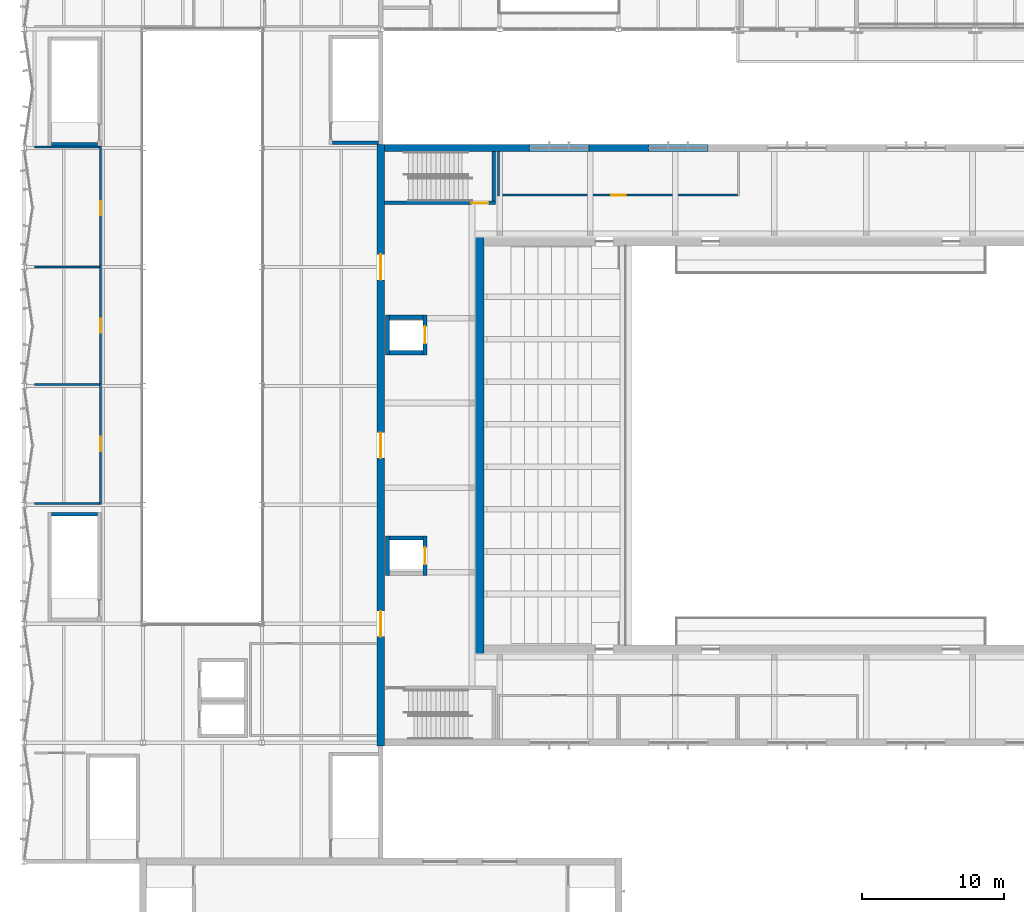
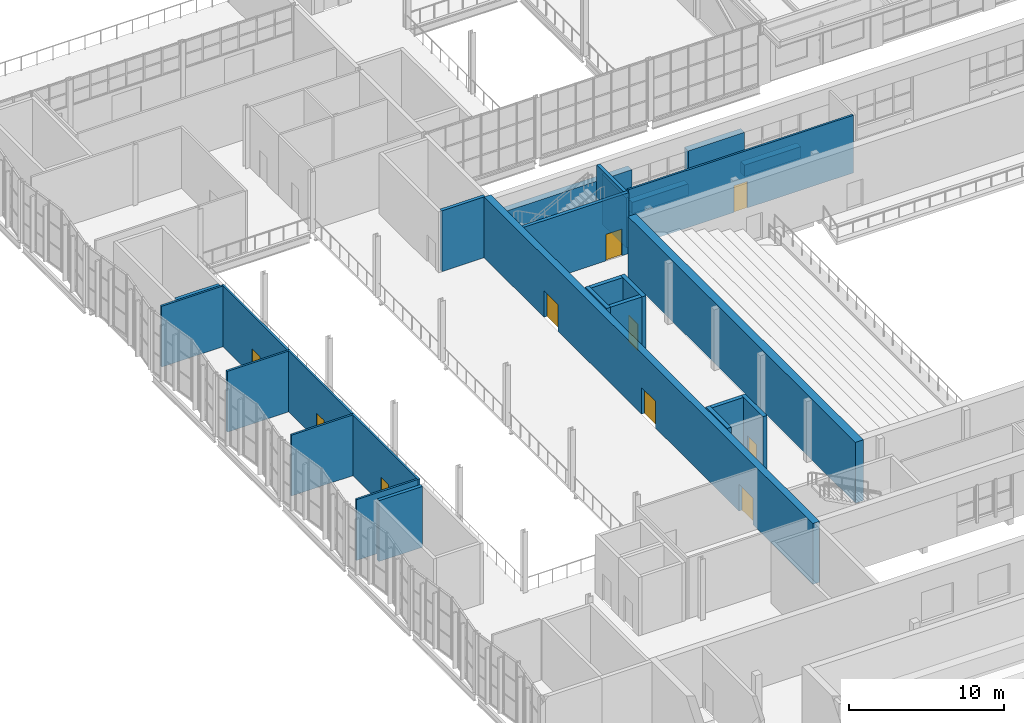
# One storey, part 75 of 116: 27 walls, 10 doors, 10 openings.
"""IFC4 building model written with IfcOpenShell, lengths in metres."""

from ifc_helpers import new_model, si_unit, direction, frame, frame_2d, origin, place, context, subcontext, project, spatial, rectangle, extrude, material, layer, layer_set, type_object, element, fill, save


model = new_model("IFC4")

# Units and contexts
model_context = context("Model", 3, precision=1e-05, world=origin(), true_north=direction((0.0, 1.0)))
body_context = subcontext(model_context, "Body", "Model", "MODEL_VIEW")
ifc_project = project(units=[si_unit("LENGTHUNIT", "METRE"), si_unit("AREAUNIT", "SQUARE_METRE"), si_unit("VOLUMEUNIT", "CUBIC_METRE"), si_unit("PLANEANGLEUNIT", "RADIAN"), si_unit("MASSUNIT", "GRAM", prefix="KILO")], contexts=[model_context])

# Site, building, storey
site_placement = place(None, origin())
site = spatial("IfcSite", under=ifc_project, at=site_placement, CompositionType="ELEMENT")
building_placement = place(site_placement, origin())
building = spatial("IfcBuilding", under=site, at=building_placement, Name="Ljudholm Concert House", CompositionType="ELEMENT")
storey_placement = place(building_placement, frame((0.0, 0.0, 10.199951171875)))
storey = spatial("IfcBuildingStorey", under=building, at=storey_placement, Name="L02", CompositionType="ELEMENT", Elevation=10.199951171875)

# Wall, opening, door
ifc_material_1 = material(Name="Gypsum board on steel studs", Category="steel")
ifc_layer_1 = layer(ifc_material_1, 0.14990234375)
ifc_layer_set_1 = layer_set([ifc_layer_1], Name="Gypsum board on steel studs")
wall_type_1 = type_object("IfcWallType", Name="GYPSUM PARTITION 150", PredefinedType="PARTITIONING", material=ifc_layer_set_1)
wall_1_placement = place(storey_placement, frame((37.60009765625, 93.074951171875, 0.0), z_axis=(0.0, 0.0, 1.0), x_axis=(1.0, 0.0, 0.0)))
wall_1 = element("IfcWall", 1, at=wall_1_placement, inside=storey, type_object=wall_type_1, Name="Hall Bar partition", PredefinedType="PARTITIONING", context=body_context, shape_type="SweptSolid", body=[
    extrude(rectangle(XDim=16.7998046875, YDim=0.14990234375, at=frame_2d((8.39990234375, 0.0))), origin(), (0.0, 0.0, 1.0), 4.550048828125),
])
opening_1_placement = place(wall_1_placement, frame((7.89990234375, 0.0, 0.0)))
opening_1 = element("IfcOpeningElement", 2, at=opening_1_placement, cuts=wall_1, Name="Opening D-H02-006", PredefinedType="OPENING", context=body_context, shape_type="SweptSolid", body=[
    extrude(rectangle(XDim=1.0, YDim=2.10009765625, at=frame_2d((0.5, 1.050048828125))), frame((0.0, 0.0849609375, 0.0), z_axis=(0.0, -1.0, 0.0), x_axis=(1.0, 0.0, 0.0)), (0.0, 0.0, 1.0), 0.169921875),
])
ifc_material_2 = material(Name="Hollow metal door in steel frame", Category="steel")
door_type_1 = type_object("IfcDoorType", Name="SWING DOOR 1000x2100", OperationType="SINGLE_SWING_LEFT", PredefinedType="DOOR", material=ifc_material_2)
door_1_placement = place(opening_1_placement, origin())
door_1 = element("IfcDoor", 3, at=door_1_placement, inside=storey, type_object=door_type_1, Name="Hall Bar door", OperationType="SINGLE_SWING_RIGHT", OverallHeight=2.10009765625, OverallWidth=1.0, PredefinedType="DOOR", context=body_context, shape_type="SweptSolid", body=[
    extrude(rectangle(XDim=1.0, YDim=2.10009765625, at=frame_2d((0.5, 1.050048828125))), frame((0.0, 0.02490234375, 0.0), z_axis=(0.0, -1.0, 0.0), x_axis=(1.0, 0.0, 0.0)), (0.0, 0.0, 1.0), 0.050048828125),
])
fill(opening_1, door_1)

# Wall
wall_2_placement = place(storey_placement, frame((37.52490234375, 93.0, 0.0), z_axis=(0.0, 0.0, 1.0), x_axis=(0.0, 1.0, 0.0)))
element("IfcWall", 4, at=wall_2_placement, inside=storey, type_object=wall_type_1, Name="Hall Bar partition", PredefinedType="PARTITIONING", context=body_context, shape_type="SweptSolid", body=[
    extrude(rectangle(XDim=3.14990234375, YDim=0.14990234375, at=frame_2d((1.574951171875, 0.0))), origin(), (0.0, 0.0, 1.0), 3.949951171875),
])

# Wall, opening, door
wall_3_placement = place(storey_placement, frame((9.39990234375, 71.22509765625, 0.0), z_axis=(0.0, 0.0, 1.0), x_axis=(0.0, 1.0, 0.0)))
wall_3 = element("IfcWall", 5, at=wall_3_placement, inside=storey, type_object=wall_type_1, Name="Room wall", PredefinedType="PARTITIONING", context=body_context, shape_type="SweptSolid", body=[
    extrude(rectangle(XDim=8.5498046875, YDim=0.14990234375, at=frame_2d((4.27490234375, 0.0))), origin(), (0.0, 0.0, 1.0), 4.800048828125),
])
opening_2_placement = place(wall_3_placement, frame((3.77490234375, 0.0, 0.0)))
opening_2 = element("IfcOpeningElement", 6, at=opening_2_placement, cuts=wall_3, Name="Opening D-S02-015", PredefinedType="OPENING", context=body_context, shape_type="SweptSolid", body=[
    extrude(rectangle(XDim=1.0, YDim=2.10009765625, at=frame_2d((0.5, 1.050048828125))), frame((0.0, 0.0849609375, 0.0), z_axis=(0.0, -1.0, 0.0), x_axis=(1.0, 0.0, 0.0)), (0.0, 0.0, 1.0), 0.169921875),
])
door_2_placement = place(opening_2_placement, origin())
door_2 = element("IfcDoor", 7, at=door_2_placement, inside=storey, type_object=door_type_1, Name="Education Room door", OperationType="SINGLE_SWING_LEFT", OverallHeight=2.10009765625, OverallWidth=1.0, PredefinedType="DOOR", context=body_context, shape_type="SweptSolid", body=[
    extrude(rectangle(XDim=1.0, YDim=2.10009765625, at=frame_2d((0.5, 1.050048828125))), frame((0.0, 0.02490234375, 0.0), z_axis=(0.0, -1.0, 0.0), x_axis=(1.0, 0.0, 0.0)), (0.0, 0.0, 1.0), 0.050048828125),
])
fill(opening_2, door_2)

# Walls
for number, where, z_axis, x_axis, name in (
    (8, (4.75, 71.300048828125, 0.0), (0.0, 0.0, 1.0), (1.0, 0.0, 0.0), "Room wall"),
    (9, (4.75, 79.699951171875, 0.0), (0.0, 0.0, 1.0), (1.0, 0.0, 0.0), "Room wall"),
):
    element("IfcWall", number, at=place(storey_placement, frame(where, z_axis=z_axis, x_axis=x_axis)), inside=storey, type_object=wall_type_1, Name=name, PredefinedType="PARTITIONING", context=body_context, shape_type="SweptSolid", body=[
        extrude(rectangle(XDim=4.574951171875, YDim=0.14990234375, at=frame_2d((2.28759765625, 0.0))), origin(), (0.0, 0.0, 1.0), 4.800048828125),
    ])

# Wall, opening, door
wall_4_placement = place(storey_placement, frame((9.39990234375, 79.625, 0.0), z_axis=(0.0, 0.0, 1.0), x_axis=(0.0, 1.0, 0.0)))
wall_4 = element("IfcWall", 10, at=wall_4_placement, inside=storey, type_object=wall_type_1, Name="Room wall", PredefinedType="PARTITIONING", context=body_context, shape_type="SweptSolid", body=[
    extrude(rectangle(XDim=8.449951171875, YDim=0.14990234375, at=frame_2d((4.22509765625, 0.0))), origin(), (0.0, 0.0, 1.0), 4.800048828125),
])
opening_3_placement = place(wall_4_placement, frame((3.72509765625, 0.0, 0.0)))
opening_3 = element("IfcOpeningElement", 11, at=opening_3_placement, cuts=wall_4, Name="Opening D-S02-016", PredefinedType="OPENING", context=body_context, shape_type="SweptSolid", body=[
    extrude(rectangle(XDim=1.0, YDim=2.10009765625, at=frame_2d((0.5, 1.050048828125))), frame((0.0, 0.0849609375, 0.0), z_axis=(0.0, -1.0, 0.0), x_axis=(1.0, 0.0, 0.0)), (0.0, 0.0, 1.0), 0.169921875),
])
door_3_placement = place(opening_3_placement, origin())
door_3 = element("IfcDoor", 12, at=door_3_placement, inside=storey, type_object=door_type_1, Name="Education Room door", OperationType="SINGLE_SWING_LEFT", OverallHeight=2.10009765625, OverallWidth=1.0, PredefinedType="DOOR", context=body_context, shape_type="SweptSolid", body=[
    extrude(rectangle(XDim=1.0, YDim=2.10009765625, at=frame_2d((0.5, 1.050048828125))), frame((0.0, 0.02490234375, 0.0), z_axis=(0.0, -1.0, 0.0), x_axis=(1.0, 0.0, 0.0)), (0.0, 0.0, 1.0), 0.050048828125),
])
fill(opening_3, door_3)

# Wall
wall_5_placement = place(storey_placement, frame((4.75, 88.0, 0.0), z_axis=(0.0, 0.0, 1.0), x_axis=(1.0, 0.0, 0.0)))
element("IfcWall", 13, at=wall_5_placement, inside=storey, type_object=wall_type_1, Name="Room wall", PredefinedType="PARTITIONING", context=body_context, shape_type="SweptSolid", body=[
    extrude(rectangle(XDim=4.574951171875, YDim=0.14990234375, at=frame_2d((2.28759765625, 0.0))), origin(), (0.0, 0.0, 1.0), 4.800048828125),
])

# Wall, opening, door
wall_6_placement = place(storey_placement, frame((9.39990234375, 87.925048828125, 0.0), z_axis=(0.0, 0.0, 1.0), x_axis=(0.0, 1.0, 0.0)))
wall_6 = element("IfcWall", 14, at=wall_6_placement, inside=storey, type_object=wall_type_1, Name="Room wall", PredefinedType="PARTITIONING", context=body_context, shape_type="SweptSolid", body=[
    extrude(rectangle(XDim=8.625, YDim=0.14990234375, at=frame_2d((4.3125, 0.0))), origin(), (0.0, 0.0, 1.0), 4.800048828125),
])
opening_4_placement = place(wall_6_placement, frame((3.72509765625, 0.0, 0.0)))
opening_4 = element("IfcOpeningElement", 15, at=opening_4_placement, cuts=wall_6, Name="Opening D-S02-017", PredefinedType="OPENING", context=body_context, shape_type="SweptSolid", body=[
    extrude(rectangle(XDim=1.0, YDim=2.10009765625, at=frame_2d((0.5, 1.050048828125))), frame((0.0, 0.0849609375, 0.0), z_axis=(0.0, -1.0, 0.0), x_axis=(1.0, 0.0, 0.0)), (0.0, 0.0, 1.0), 0.169921875),
])
door_4_placement = place(opening_4_placement, origin())
door_4 = element("IfcDoor", 16, at=door_4_placement, inside=storey, type_object=door_type_1, Name="Education Room door", OperationType="SINGLE_SWING_LEFT", OverallHeight=2.10009765625, OverallWidth=1.0, PredefinedType="DOOR", context=body_context, shape_type="SweptSolid", body=[
    extrude(rectangle(XDim=1.0, YDim=2.10009765625, at=frame_2d((0.5, 1.050048828125))), frame((0.0, 0.02490234375, 0.0), z_axis=(0.0, -1.0, 0.0), x_axis=(1.0, 0.0, 0.0)), (0.0, 0.0, 1.0), 0.050048828125),
])
fill(opening_4, door_4)

# Walls
wall_7_placement = place(storey_placement, frame((4.75, 96.47509765625, 0.0), z_axis=(0.0, 0.0, 1.0), x_axis=(1.0, 0.0, 0.0)))
element("IfcWall", 17, at=wall_7_placement, inside=storey, type_object=wall_type_1, Name="Room wall", PredefinedType="PARTITIONING", context=body_context, shape_type="SweptSolid", body=[
    extrude(rectangle(XDim=4.574951171875, YDim=0.14990234375, at=frame_2d((2.28759765625, 0.0))), origin(), (0.0, 0.0, 1.0), 4.800048828125),
])
ifc_material_3 = material(Name="Concrete 6,500 psi", Category="concrete")
ifc_layer_2 = layer(ifc_material_3, 0.25)
ifc_layer_set_2 = layer_set([ifc_layer_2], Name="Concrete 6,500 psi")
wall_type_2 = type_object("IfcWallType", Name="RC CORE WALL 250", PredefinedType="SHEAR", material=ifc_layer_set_2)
for number, where, z_axis, x_axis, name in (
    (18, (25.800048828125, 96.77490234375, 0.0), (0.0, 0.0, 1.0), (1.0, 0.0, 0.0), "Stair enclosure wall"),
    (19, (5.949951171875, 70.52490234375, 0.0), (0.0, 0.0, 1.0), (1.0, 0.0, 0.0), "Stair enclosure wall"),
    (20, (5.949951171875, 96.675048828125, 0.0), (0.0, 0.0, 1.0), (1.0, 0.0, 0.0), "Stair enclosure wall"),
):
    element("IfcWall", number, at=place(storey_placement, frame(where, z_axis=z_axis, x_axis=x_axis)), inside=storey, type_object=wall_type_2, Name=name, PredefinedType="SHEAR", context=body_context, shape_type="SweptSolid", body=[
        extrude(rectangle(XDim=3.25, YDim=0.25, at=frame_2d((1.625, 0.0))), origin(), (0.0, 0.0, 1.0), 4.800048828125),
    ])

# Wall, opening, door
ifc_material_4 = material(Name="Concrete 6,500 psi", Category="concrete")
ifc_layer_3 = layer(ifc_material_4, 0.25)
ifc_layer_set_3 = layer_set([ifc_layer_3], Name="Concrete 6,500 psi")
wall_type_3 = type_object("IfcWallType", Name="RC WALL 250", PredefinedType="SOLIDWALL", material=ifc_layer_set_3)
wall_8_placement = place(storey_placement, frame((29.449951171875, 92.52490234375, 0.0), z_axis=(0.0, 0.0, 1.0), x_axis=(1.0, 0.0, 0.0)))
wall_8 = element("IfcWall", 21, at=wall_8_placement, inside=storey, type_object=wall_type_3, Name="Stair enclosure wall EH2", PredefinedType="SOLIDWALL", context=body_context, shape_type="SweptSolid", body=[
    extrude(rectangle(XDim=7.85009765625, YDim=0.25, at=frame_2d((3.925048828125, 0.0))), origin(), (0.0, 0.0, 1.0), 4.800048828125),
])
opening_5_placement = place(wall_8_placement, frame((6.14990234375, 0.0, 0.0)))
opening_5 = element("IfcOpeningElement", 22, at=opening_5_placement, cuts=wall_8, Name="Opening D-H02-008", PredefinedType="OPENING", context=body_context, shape_type="SweptSolid", body=[
    extrude(rectangle(XDim=1.199951171875, YDim=2.10009765625, at=frame_2d((0.60009765625, 1.050048828125))), frame((0.0, 0.135009765625, 0.0), z_axis=(0.0, -1.0, 0.0), x_axis=(1.0, 0.0, 0.0)), (0.0, 0.0, 1.0), 0.27001953125),
])
ifc_material_5 = material(Name="Hollow metal door in steel frame", Category="steel")
door_type_2 = type_object("IfcDoorType", Name="SWING DOOR 1200x2100", OperationType="SINGLE_SWING_LEFT", PredefinedType="DOOR", material=ifc_material_5)
door_5_placement = place(opening_5_placement, origin())
door_5 = element("IfcDoor", 23, at=door_5_placement, inside=storey, type_object=door_type_2, Name="Exit stair EH2 door", OperationType="SINGLE_SWING_RIGHT", OverallHeight=2.10009765625, OverallWidth=1.199951171875, PredefinedType="DOOR", context=body_context, shape_type="SweptSolid", body=[
    extrude(rectangle(XDim=1.199951171875, YDim=2.10009765625, at=frame_2d((0.60009765625, 1.050048828125))), frame((0.0, 0.02490234375, 0.0), z_axis=(0.0, -1.0, 0.0), x_axis=(1.0, 0.0, 0.0)), (0.0, 0.0, 1.0), 0.050048828125),
])
fill(opening_5, door_5)

# Walls
wall_9_placement = place(storey_placement, frame((37.175048828125, 92.64990234375, 0.0), z_axis=(0.0, 0.0, 1.0), x_axis=(0.0, 1.0, 0.0)))
element("IfcWall", 24, at=wall_9_placement, inside=storey, type_object=wall_type_3, Name="Stair enclosure wall EH2", PredefinedType="SOLIDWALL", context=body_context, shape_type="SweptSolid", body=[
    extrude(rectangle(XDim=3.5, YDim=0.25, at=frame_2d((1.75, 0.0))), origin(), (0.0, 0.0, 1.0), 4.800048828125),
])
ifc_material_6 = material(Name="Concrete 6,500 psi", Category="concrete")
ifc_layer_4 = layer(ifc_material_6, 0.300048828125)
ifc_layer_set_4 = layer_set([ifc_layer_4], Name="Concrete 6,500 psi")
wall_type_4 = type_object("IfcWallType", Name="RC WALL 300", PredefinedType="SOLIDWALL", material=ifc_layer_set_4)
wall_10_placement = place(storey_placement, frame((29.675048828125, 66.199951171875, 0.0), z_axis=(0.0, 0.0, 1.0), x_axis=(0.0, 1.0, 0.0)))
element("IfcWall", 25, at=wall_10_placement, inside=storey, type_object=wall_type_4, Name="Lift shaft wall", PredefinedType="SOLIDWALL", context=body_context, shape_type="SweptSolid", body=[
    extrude(rectangle(XDim=2.800048828125, YDim=0.300048828125, at=frame_2d((1.39990234375, 0.0))), origin(), (0.0, 0.0, 1.0), 4.800048828125),
])

# Wall, opening, door
wall_11_placement = place(storey_placement, frame((32.324951171875, 66.199951171875, 0.0), z_axis=(0.0, 0.0, 1.0), x_axis=(0.0, 1.0, 0.0)))
wall_11 = element("IfcWall", 26, at=wall_11_placement, inside=storey, type_object=wall_type_4, Name="Lift shaft wall", PredefinedType="SOLIDWALL", context=body_context, shape_type="SweptSolid", body=[
    extrude(rectangle(XDim=2.800048828125, YDim=0.300048828125, at=frame_2d((1.39990234375, 0.0))), origin(), (0.0, 0.0, 1.0), 4.800048828125),
])
opening_6_placement = place(wall_11_placement, frame((0.800048828125, 0.0, 0.0)))
opening_6 = element("IfcOpeningElement", 27, at=opening_6_placement, cuts=wall_11, Name="Opening LD-H02-001", PredefinedType="OPENING", context=body_context, shape_type="SweptSolid", body=[
    extrude(rectangle(XDim=1.199951171875, YDim=2.10009765625, at=frame_2d((0.60009765625, 1.050048828125))), frame((0.0, 0.159912109375, 0.0), z_axis=(0.0, -1.0, 0.0), x_axis=(1.0, 0.0, 0.0)), (0.0, 0.0, 1.0), 0.320068359375),
])
ifc_material_7 = material(Name="Stainless steel sliding landing door, fire-rated", Category="steel")
door_type_3 = type_object("IfcDoorType", Name="LIFT DOOR 1200x2100", OperationType="SLIDING_TO_LEFT", PredefinedType="DOOR", material=ifc_material_7)
door_6_placement = place(opening_6_placement, origin())
door_6 = element("IfcDoor", 28, at=door_6_placement, inside=storey, type_object=door_type_3, Name="Lift landing door", OperationType="SLIDING_TO_LEFT", OverallHeight=2.10009765625, OverallWidth=1.199951171875, PredefinedType="DOOR", context=body_context, shape_type="SweptSolid", body=[
    extrude(rectangle(XDim=1.199951171875, YDim=2.10009765625, at=frame_2d((0.60009765625, 1.050048828125))), frame((0.0, 0.02490234375, 0.0), z_axis=(0.0, -1.0, 0.0), x_axis=(1.0, 0.0, 0.0)), (0.0, 0.0, 1.0), 0.050048828125),
])
fill(opening_6, door_6)

# Walls
wall_12_placement = place(storey_placement, frame((29.824951171875, 68.85009765625, 0.0), z_axis=(0.0, 0.0, 1.0), x_axis=(1.0, 0.0, 0.0)))
element("IfcWall", 29, at=wall_12_placement, inside=storey, type_object=wall_type_4, Name="Lift shaft wall", PredefinedType="SOLIDWALL", context=body_context, shape_type="SweptSolid", body=[
    extrude(rectangle(XDim=2.35009765625, YDim=0.300048828125, at=frame_2d((1.175048828125, 0.0))), origin(), (0.0, 0.0, 1.0), 4.800048828125),
])
wall_13_placement = place(storey_placement, frame((29.675048828125, 81.800048828125, 0.0), z_axis=(0.0, 0.0, 1.0), x_axis=(0.0, 1.0, 0.0)))
element("IfcWall", 30, at=wall_13_placement, inside=storey, type_object=wall_type_4, Name="Lift shaft wall", PredefinedType="SOLIDWALL", context=body_context, shape_type="SweptSolid", body=[
    extrude(rectangle(XDim=2.800048828125, YDim=0.300048828125, at=frame_2d((1.39990234375, 0.0))), origin(), (0.0, 0.0, 1.0), 4.800048828125),
])

# Wall, opening, door
wall_14_placement = place(storey_placement, frame((32.324951171875, 81.800048828125, 0.0), z_axis=(0.0, 0.0, 1.0), x_axis=(0.0, 1.0, 0.0)))
wall_14 = element("IfcWall", 31, at=wall_14_placement, inside=storey, type_object=wall_type_4, Name="Lift shaft wall", PredefinedType="SOLIDWALL", context=body_context, shape_type="SweptSolid", body=[
    extrude(rectangle(XDim=2.800048828125, YDim=0.300048828125, at=frame_2d((1.39990234375, 0.0))), origin(), (0.0, 0.0, 1.0), 4.800048828125),
])
opening_7_placement = place(wall_14_placement, frame((0.800048828125, 0.0, 0.0)))
opening_7 = element("IfcOpeningElement", 32, at=opening_7_placement, cuts=wall_14, Name="Opening LD-H02-002", PredefinedType="OPENING", context=body_context, shape_type="SweptSolid", body=[
    extrude(rectangle(XDim=1.199951171875, YDim=2.10009765625, at=frame_2d((0.60009765625, 1.050048828125))), frame((0.0, 0.159912109375, 0.0), z_axis=(0.0, -1.0, 0.0), x_axis=(1.0, 0.0, 0.0)), (0.0, 0.0, 1.0), 0.320068359375),
])
door_7_placement = place(opening_7_placement, origin())
door_7 = element("IfcDoor", 33, at=door_7_placement, inside=storey, type_object=door_type_3, Name="Lift landing door", OperationType="SLIDING_TO_LEFT", OverallHeight=2.10009765625, OverallWidth=1.199951171875, PredefinedType="DOOR", context=body_context, shape_type="SweptSolid", body=[
    extrude(rectangle(XDim=1.199951171875, YDim=2.10009765625, at=frame_2d((0.60009765625, 1.050048828125))), frame((0.0, 0.02490234375, 0.0), z_axis=(0.0, -1.0, 0.0), x_axis=(1.0, 0.0, 0.0)), (0.0, 0.0, 1.0), 0.050048828125),
])
fill(opening_7, door_7)

# Walls
for number, where, z_axis, x_axis, name in (
    (34, (29.824951171875, 81.949951171875, 0.0), (0.0, 0.0, 1.0), (1.0, 0.0, 0.0), "Lift shaft wall"),
    (35, (29.824951171875, 84.449951171875, 0.0), (0.0, 0.0, 1.0), (1.0, 0.0, 0.0), "Lift shaft wall"),
):
    element("IfcWall", number, at=place(storey_placement, frame(where, z_axis=z_axis, x_axis=x_axis)), inside=storey, type_object=wall_type_4, Name=name, PredefinedType="SOLIDWALL", context=body_context, shape_type="SweptSolid", body=[
        extrude(rectangle(XDim=2.35009765625, YDim=0.300048828125, at=frame_2d((1.175048828125, 0.0))), origin(), (0.0, 0.0, 1.0), 4.800048828125),
    ])

# Wall, openings, doors
ifc_material_8 = material(Name="Concrete 6,500 psi", Category="concrete")
ifc_layer_5 = layer(ifc_material_8, 0.5)
ifc_layer_set_5 = layer_set([ifc_layer_5], Name="Concrete 6,500 psi")
wall_type_5 = type_object("IfcWallType", Name="RC WALL 500", PredefinedType="SOLIDWALL", material=ifc_layer_set_5)
wall_15_placement = place(storey_placement, frame((29.199951171875, 54.14990234375, 0.0), z_axis=(0.0, 0.0, 1.0), x_axis=(0.0, 1.0, 0.0)))
wall_15 = element("IfcWall", 36, at=wall_15_placement, inside=storey, type_object=wall_type_5, Name="Outer wall W", PredefinedType="SOLIDWALL", context=body_context, shape_type="SweptSolid", body=[
    extrude(rectangle(XDim=42.5, YDim=0.5, at=frame_2d((21.25, 0.0))), origin(), (0.0, 0.0, 1.0), 4.800048828125),
])
opening_8_placement = place(wall_15_placement, frame((7.75, 0.0, 0.0)))
opening_8 = element("IfcOpeningElement", 37, at=opening_8_placement, cuts=wall_15, Name="Opening D-H02-011", PredefinedType="OPENING", context=body_context, shape_type="SweptSolid", body=[
    extrude(rectangle(XDim=1.800048828125, YDim=2.10009765625, at=frame_2d((0.89990234375, 1.050048828125))), frame((0.0, 0.260009765625, 0.0), z_axis=(0.0, -1.0, 0.0), x_axis=(1.0, 0.0, 0.0)), (0.0, 0.0, 1.0), 0.52001953125),
])
opening_9_placement = place(wall_15_placement, frame((20.35009765625, 0.0, 0.0)))
opening_9 = element("IfcOpeningElement", 38, at=opening_9_placement, cuts=wall_15, Name="Opening D-H02-012", PredefinedType="OPENING", context=body_context, shape_type="SweptSolid", body=[
    extrude(rectangle(XDim=1.800048828125, YDim=2.10009765625, at=frame_2d((0.89990234375, 1.050048828125))), frame((0.0, 0.260009765625, 0.0), z_axis=(0.0, -1.0, 0.0), x_axis=(1.0, 0.0, 0.0)), (0.0, 0.0, 1.0), 0.52001953125),
])
opening_10_placement = place(wall_15_placement, frame((32.949951171875, 0.0, 0.0)))
opening_10 = element("IfcOpeningElement", 39, at=opening_10_placement, cuts=wall_15, Name="Opening D-H02-013", PredefinedType="OPENING", context=body_context, shape_type="SweptSolid", body=[
    extrude(rectangle(XDim=1.800048828125, YDim=2.10009765625, at=frame_2d((0.89990234375, 1.050048828125))), frame((0.0, 0.260009765625, 0.0), z_axis=(0.0, -1.0, 0.0), x_axis=(1.0, 0.0, 0.0)), (0.0, 0.0, 1.0), 0.52001953125),
])
ifc_material_9 = material(Name="Hollow metal door in steel frame", Category="steel")
door_type_4 = type_object("IfcDoorType", Name="DOUBLE DOOR 1800x2100", OperationType="DOUBLE_DOOR_SINGLE_SWING", PredefinedType="DOOR", material=ifc_material_9)
door_8_placement = place(opening_8_placement, origin())
door_8 = element("IfcDoor", 40, at=door_8_placement, inside=storey, type_object=door_type_4, Name="Port P-HS-1 door", OperationType="DOUBLE_DOOR_SINGLE_SWING", OverallHeight=2.10009765625, OverallWidth=1.800048828125, PredefinedType="DOOR", context=body_context, shape_type="SweptSolid", body=[
    extrude(rectangle(XDim=1.800048828125, YDim=2.10009765625, at=frame_2d((0.89990234375, 1.050048828125))), frame((0.0, 0.02490234375, 0.0), z_axis=(0.0, -1.0, 0.0), x_axis=(1.0, 0.0, 0.0)), (0.0, 0.0, 1.0), 0.050048828125),
])
fill(opening_8, door_8)
door_9_placement = place(opening_9_placement, origin())
door_9 = element("IfcDoor", 41, at=door_9_placement, inside=storey, type_object=door_type_4, Name="Port P-HS-2 door", OperationType="DOUBLE_DOOR_SINGLE_SWING", OverallHeight=2.10009765625, OverallWidth=1.800048828125, PredefinedType="DOOR", context=body_context, shape_type="SweptSolid", body=[
    extrude(rectangle(XDim=1.800048828125, YDim=2.10009765625, at=frame_2d((0.89990234375, 1.050048828125))), frame((0.0, 0.02490234375, 0.0), z_axis=(0.0, -1.0, 0.0), x_axis=(1.0, 0.0, 0.0)), (0.0, 0.0, 1.0), 0.050048828125),
])
fill(opening_9, door_9)
door_10_placement = place(opening_10_placement, origin())
door_10 = element("IfcDoor", 42, at=door_10_placement, inside=storey, type_object=door_type_4, Name="Port P-HS-3 door", OperationType="DOUBLE_DOOR_SINGLE_SWING", OverallHeight=2.10009765625, OverallWidth=1.800048828125, PredefinedType="DOOR", context=body_context, shape_type="SweptSolid", body=[
    extrude(rectangle(XDim=1.800048828125, YDim=2.10009765625, at=frame_2d((0.89990234375, 1.050048828125))), frame((0.0, 0.02490234375, 0.0), z_axis=(0.0, -1.0, 0.0), x_axis=(1.0, 0.0, 0.0)), (0.0, 0.0, 1.0), 0.050048828125),
])
fill(opening_10, door_10)

# Walls
wall_16_placement = place(storey_placement, frame((29.449951171875, 96.39990234375, 0.0), z_axis=(0.0, 0.0, 1.0), x_axis=(1.0, 0.0, 0.0)))
element("IfcWall", 43, at=wall_16_placement, inside=storey, type_object=wall_type_5, Name="Outer wall N", PredefinedType="SOLIDWALL", context=body_context, shape_type="SweptSolid", body=[
    extrude(rectangle(XDim=10.25, YDim=0.5, at=frame_2d((5.125, 0.0))), origin(), (0.0, 0.0, 1.0), 3.5),
])
wall_17_placement = place(storey_placement, frame((43.89990234375, 96.39990234375, 0.0), z_axis=(0.0, 0.0, 1.0), x_axis=(1.0, 0.0, 0.0)))
element("IfcWall", 44, at=wall_17_placement, inside=storey, type_object=wall_type_5, Name="Outer wall N", PredefinedType="SOLIDWALL", context=body_context, shape_type="SweptSolid", body=[
    extrude(rectangle(XDim=4.2001953125, YDim=0.5, at=frame_2d((2.10009765625, 0.0))), origin(), (0.0, 0.0, 1.0), 3.5),
])
for number, where, z_axis, x_axis, name in (
    (45, (39.699951171875, 96.39990234375, 0.0), (0.0, 0.0, 1.0), (1.0, 0.0, 0.0), "Outer wall N"),
    (46, (48.10009765625, 96.39990234375, 0.0), (0.0, 0.0, 1.0), (1.0, 0.0, 0.0), "Outer wall N"),
):
    element("IfcWall", number, at=place(storey_placement, frame(where, z_axis=z_axis, x_axis=x_axis)), inside=storey, type_object=wall_type_5, Name=name, PredefinedType="SOLIDWALL", context=body_context, shape_type="SweptSolid", body=[
        extrude(rectangle(XDim=4.199951171875, YDim=0.5, at=frame_2d((2.10009765625, 0.0))), origin(), (0.0, 0.0, 1.0), 0.900146484375),
    ])
ifc_material_10 = material(Name="Concrete 6,500 psi", Category="concrete")
ifc_layer_6 = layer(ifc_material_10, 0.60009765625)
ifc_layer_set_6 = layer_set([ifc_layer_6], Name="Concrete 6,500 psi")
wall_type_6 = type_object("IfcWallType", Name="RC WALL 600", PredefinedType="SOLIDWALL", material=ifc_layer_set_6)
wall_18_placement = place(storey_placement, frame((36.199951171875, 60.699951171875, 0.0), z_axis=(0.0, 0.0, 1.0), x_axis=(0.0, 1.0, 0.0)))
element("IfcWall", 47, at=wall_18_placement, inside=storey, type_object=wall_type_6, Name="Inner box wall W", PredefinedType="SOLIDWALL", context=body_context, shape_type="SweptSolid", body=[
    extrude(rectangle(XDim=29.400146484375, YDim=0.60009765625, at=frame_2d((14.7001953125, 0.0))), origin(), (0.0, 0.0, 1.0), 4.800048828125),
])

save(model, "model.ifc")
